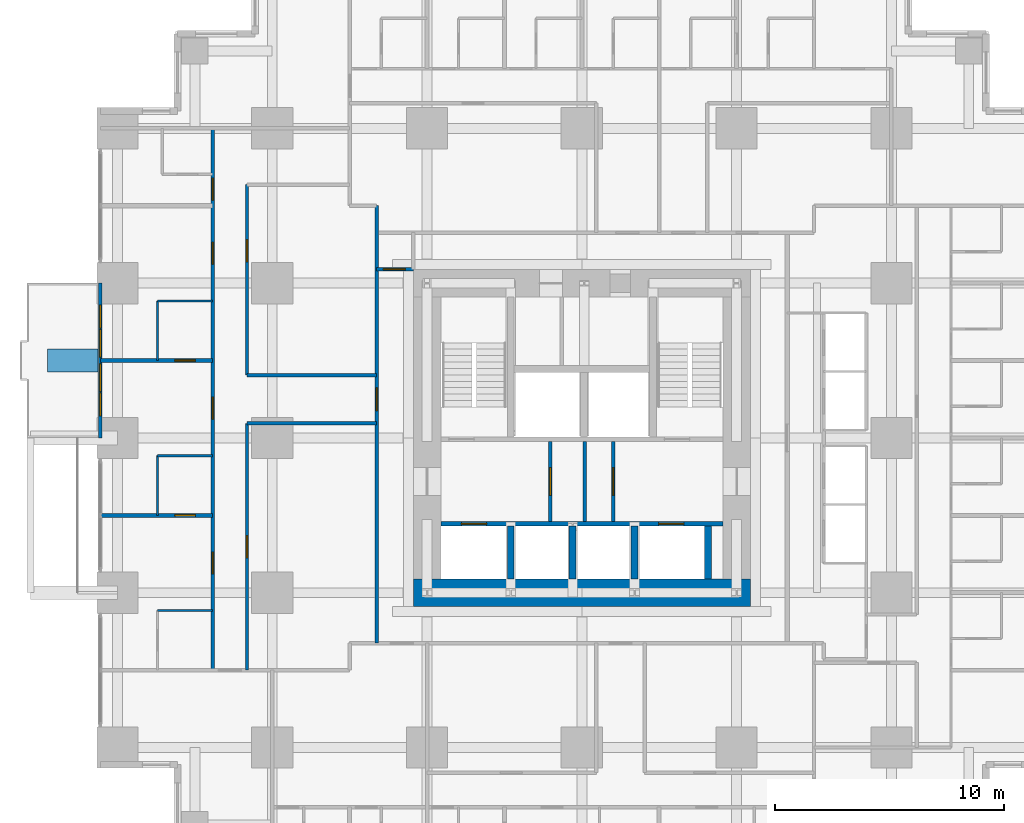
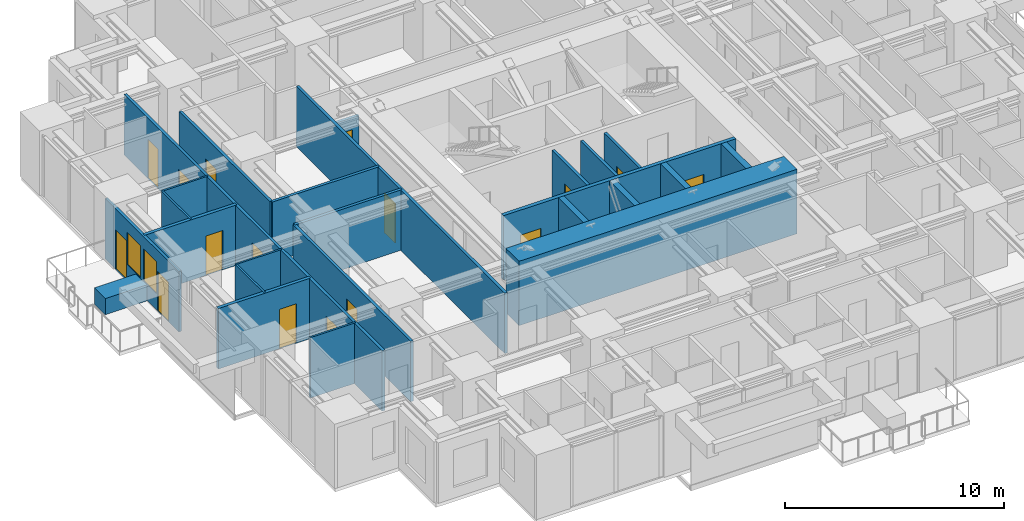
# One storey, part 9 of 14: 25 walls, 16 doors, 2 windows, 18 openings.
"""IFC4 building model written with IfcOpenShell, lengths in metres."""

from ifc_helpers import new_model, si_unit, direction, frame, frame_2d, origin, place, context, subcontext, project, spatial, rectangle, extrude, material, layer, layer_set, type_object, element, fill, save


model = new_model("IFC4")

# Units and contexts
model_context = context("Model", 3, precision=1e-05, world=origin(), true_north=direction((0.0, 1.0)))
body_context = subcontext(model_context, "Body", "Model", "MODEL_VIEW")
ifc_project = project(units=[si_unit("LENGTHUNIT", "METRE"), si_unit("AREAUNIT", "SQUARE_METRE"), si_unit("VOLUMEUNIT", "CUBIC_METRE"), si_unit("PLANEANGLEUNIT", "RADIAN"), si_unit("MASSUNIT", "GRAM", prefix="KILO")], contexts=[model_context])

# Site, building, storey
site_placement = place(None, origin())
site = spatial("IfcSite", under=ifc_project, at=site_placement, CompositionType="ELEMENT")
building_placement = place(site_placement, origin())
building = spatial("IfcBuilding", under=site, at=building_placement, Name="Nyansa Garden Tower", CompositionType="ELEMENT")
storey_placement = place(building_placement, frame((0.0, 0.0, 50.39990234375)))
storey = spatial("IfcBuildingStorey", under=building, at=storey_placement, Name="L13", CompositionType="ELEMENT", Elevation=50.39990234375)

# Wall, opening, door
ifc_material_1 = material(Name="Dense blockwork, plastered both sides, 55 dB", Category="masonry")
ifc_layer_1 = layer(ifc_material_1, 0.175048828125)
ifc_layer_set_1 = layer_set([ifc_layer_1], Name="Acoustic party wall PW175")
wall_type_1 = type_object("IfcWallType", Name="Acoustic party wall PW175", PredefinedType="PARTITIONING", material=ifc_layer_set_1)
wall_1_placement = place(storey_placement, frame((-0.73388671875, 16.875, 0.0), z_axis=(0.0, 0.0, 1.0), x_axis=(1.0, 0.0, 0.0)))
wall_1 = element("IfcWall", 1, at=wall_1_placement, inside=storey, type_object=wall_type_1, Name="Party wall", PredefinedType="PARTITIONING", context=body_context, shape_type="SweptSolid", body=[
    extrude(rectangle(XDim=4.8837890625, YDim=0.175048828125, at=frame_2d((2.44189453125, 0.0))), origin(), (0.0, 0.0, 1.0), 3.375),
])
opening_1_placement = place(wall_1_placement, frame((3.23388671875, 0.0, 0.0)))
opening_1 = element("IfcOpeningElement", 2, at=opening_1_placement, cuts=wall_1, Name="Opening D02", PredefinedType="OPENING", context=body_context, shape_type="SweptSolid", body=[
    extrude(rectangle(XDim=0.89990234375, YDim=2.199951171875, at=frame_2d((0.449951171875, 1.10009765625))), frame((0.0, 0.097412109375, 0.0), z_axis=(0.0, -1.0, 0.0), x_axis=(1.0, 0.0, 0.0)), (0.0, 0.0, 1.0), 0.195068359375),
])
ifc_material_2 = material(Name="Timber flush door", Category="wood")
door_type_1 = type_object("IfcDoorType", Name="En-suite door D02 900x2200", OperationType="SINGLE_SWING_RIGHT", PredefinedType="DOOR", material=ifc_material_2)
door_1_placement = place(opening_1_placement, origin())
door_1 = element("IfcDoor", 3, at=door_1_placement, inside=storey, type_object=door_type_1, Name="Door L13-070", OperationType="SINGLE_SWING_RIGHT", OverallHeight=2.199951171875, OverallWidth=0.89990234375, PredefinedType="DOOR", context=body_context, shape_type="SweptSolid", body=[
    extrude(rectangle(XDim=0.89990234375, YDim=2.199951171875, at=frame_2d((0.449951171875, 1.10009765625))), frame((0.0, 0.02490234375, 0.0), z_axis=(0.0, -1.0, 0.0), x_axis=(1.0, 0.0, 0.0)), (0.0, 0.0, 1.0), 0.050048828125),
])
fill(opening_1, door_1)

wall_2_placement = place(storey_placement, frame((-0.73388671875, 23.625, 0.0), z_axis=(0.0, 0.0, 1.0), x_axis=(1.0, 0.0, 0.0)))
wall_2 = element("IfcWall", 4, at=wall_2_placement, inside=storey, type_object=wall_type_1, Name="Party wall", PredefinedType="PARTITIONING", context=body_context, shape_type="SweptSolid", body=[
    extrude(rectangle(XDim=4.8837890625, YDim=0.175048828125, at=frame_2d((2.44189453125, 0.0))), origin(), (0.0, 0.0, 1.0), 3.375),
])
opening_2_placement = place(wall_2_placement, frame((3.23388671875, 0.0, 0.0)))
opening_2 = element("IfcOpeningElement", 5, at=opening_2_placement, cuts=wall_2, Name="Opening D02", PredefinedType="OPENING", context=body_context, shape_type="SweptSolid", body=[
    extrude(rectangle(XDim=0.89990234375, YDim=2.199951171875, at=frame_2d((0.449951171875, 1.10009765625))), frame((0.0, 0.097412109375, 0.0), z_axis=(0.0, -1.0, 0.0), x_axis=(1.0, 0.0, 0.0)), (0.0, 0.0, 1.0), 0.195068359375),
])
door_2_placement = place(opening_2_placement, origin())
door_2 = element("IfcDoor", 6, at=door_2_placement, inside=storey, type_object=door_type_1, Name="Door L13-072", OperationType="SINGLE_SWING_RIGHT", OverallHeight=2.199951171875, OverallWidth=0.89990234375, PredefinedType="DOOR", context=body_context, shape_type="SweptSolid", body=[
    extrude(rectangle(XDim=0.89990234375, YDim=2.199951171875, at=frame_2d((0.449951171875, 1.10009765625))), frame((0.0, 0.02490234375, 0.0), z_axis=(0.0, -1.0, 0.0), x_axis=(1.0, 0.0, 0.0)), (0.0, 0.0, 1.0), 0.050048828125),
])
fill(opening_2, door_2)

# Wall, openings, doors, windows
ifc_material_3 = material(Name="Black aluminium framed glazed screen", Category="aluminium")
ifc_layer_2 = layer(ifc_material_3, 0.14990234375)
ifc_layer_set_2 = layer_set([ifc_layer_2], Name="Balcony screen wall BW150")
wall_type_2 = type_object("IfcWallType", Name="Balcony screen wall BW150", PredefinedType="SOLIDWALL", material=ifc_layer_set_2)
wall_3_placement = place(storey_placement, frame((-0.75, 20.25, 0.0), z_axis=(0.0, 0.0, 1.0), x_axis=(0.0, 1.0, 0.0)))
wall_3 = element("IfcWall", 7, at=wall_3_placement, inside=storey, type_object=wall_type_2, Name="Glazed screen wall L13 W", PredefinedType="SOLIDWALL", context=body_context, shape_type="SweptSolid", body=[
    extrude(rectangle(XDim=6.75, YDim=0.14990234375, at=frame_2d((3.375, 0.0))), origin(), (0.0, 0.0, 1.0), 3.375),
])
opening_3_placement = place(wall_3_placement, frame((0.96240234375, 0.0, 0.0)))
opening_3 = element("IfcOpeningElement", 8, at=opening_3_placement, cuts=wall_3, Name="Opening D20", PredefinedType="OPENING", context=body_context, shape_type="SweptSolid", body=[
    extrude(rectangle(XDim=1.0, YDim=2.199951171875, at=frame_2d((0.5, 1.10009765625))), frame((0.0, 0.0849609375, 0.0), z_axis=(0.0, -1.0, 0.0), x_axis=(1.0, 0.0, 0.0)), (0.0, 0.0, 1.0), 0.169921875),
])
opening_4_placement = place(wall_3_placement, frame((2.02490234375, 0.0, 0.89990234375)))
opening_4 = element("IfcOpeningElement", 9, at=opening_4_placement, cuts=wall_3, Name="Opening W6", PredefinedType="OPENING", context=body_context, shape_type="SweptSolid", body=[
    extrude(rectangle(XDim=1.199951171875, YDim=1.800048828125, at=frame_2d((0.60009765625, 0.89990234375))), frame((0.0, 0.0849609375, 0.0), z_axis=(0.0, -1.0, 0.0), x_axis=(1.0, 0.0, 0.0)), (0.0, 0.0, 1.0), 0.169921875),
])
opening_5_placement = place(wall_3_placement, frame((4.78759765625, 0.0, 0.0)))
opening_5 = element("IfcOpeningElement", 10, at=opening_5_placement, cuts=wall_3, Name="Opening D20", PredefinedType="OPENING", context=body_context, shape_type="SweptSolid", body=[
    extrude(rectangle(XDim=1.0, YDim=2.199951171875, at=frame_2d((0.5, 1.10009765625))), frame((0.0, 0.0849609375, 0.0), z_axis=(0.0, -1.0, 0.0), x_axis=(1.0, 0.0, 0.0)), (0.0, 0.0, 1.0), 0.169921875),
])
opening_6_placement = place(wall_3_placement, frame((3.52490234375, 0.0, 0.89990234375)))
opening_6 = element("IfcOpeningElement", 11, at=opening_6_placement, cuts=wall_3, Name="Opening W6", PredefinedType="OPENING", context=body_context, shape_type="SweptSolid", body=[
    extrude(rectangle(XDim=1.199951171875, YDim=1.800048828125, at=frame_2d((0.60009765625, 0.89990234375))), frame((0.0, 0.0849609375, 0.0), z_axis=(0.0, -1.0, 0.0), x_axis=(1.0, 0.0, 0.0)), (0.0, 0.0, 1.0), 0.169921875),
])
ifc_material_4 = material(Name="Black aluminium framed glazed door", Category="aluminium")
door_type_2 = type_object("IfcDoorType", Name="Balcony door D20 1000x2200", OperationType="NOTDEFINED", PredefinedType="DOOR", material=ifc_material_4)
door_3_placement = place(opening_3_placement, origin())
door_3 = element("IfcDoor", 12, at=door_3_placement, inside=storey, type_object=door_type_2, Name="Balcony door L13", OperationType="SINGLE_SWING_LEFT", OverallHeight=2.199951171875, OverallWidth=1.0, PredefinedType="DOOR", context=body_context, shape_type="SweptSolid", body=[
    extrude(rectangle(XDim=1.0, YDim=2.199951171875, at=frame_2d((0.5, 1.10009765625))), frame((0.0, 0.02490234375, 0.0), z_axis=(0.0, -1.0, 0.0), x_axis=(1.0, 0.0, 0.0)), (0.0, 0.0, 1.0), 0.050048828125),
])
fill(opening_3, door_3)
door_4_placement = place(opening_5_placement, origin())
door_4 = element("IfcDoor", 13, at=door_4_placement, inside=storey, type_object=door_type_2, Name="Balcony door L13", OperationType="SINGLE_SWING_RIGHT", OverallHeight=2.199951171875, OverallWidth=1.0, PredefinedType="DOOR", context=body_context, shape_type="SweptSolid", body=[
    extrude(rectangle(XDim=1.0, YDim=2.199951171875, at=frame_2d((0.5, 1.10009765625))), frame((0.0, 0.02490234375, 0.0), z_axis=(0.0, -1.0, 0.0), x_axis=(1.0, 0.0, 0.0)), (0.0, 0.0, 1.0), 0.050048828125),
])
fill(opening_5, door_4)
ifc_material_5 = material(Name="Black aluminium frame, dark tinted double glazing", Category="aluminium")
window_type = type_object("IfcWindowType", Name="Balcony window W6 1200x1800", PartitioningType="SINGLE_PANEL", PredefinedType="WINDOW", material=ifc_material_5)
window_1_placement = place(opening_4_placement, origin())
window_1 = element("IfcWindow", 14, at=window_1_placement, inside=storey, type_object=window_type, Name="Window L13", OverallHeight=1.800048828125, OverallWidth=1.199951171875, PartitioningType="SINGLE_PANEL", PredefinedType="WINDOW", context=body_context, shape_type="SweptSolid", body=[
    extrude(rectangle(XDim=1.199951171875, YDim=1.800048828125, at=frame_2d((0.60009765625, 0.89990234375))), frame((0.0, 0.030029296875, 0.0), z_axis=(0.0, -1.0, 0.0), x_axis=(1.0, 0.0, 0.0)), (0.0, 0.0, 1.0), 0.06005859375),
])
fill(opening_4, window_1)
window_2_placement = place(opening_6_placement, origin())
window_2 = element("IfcWindow", 15, at=window_2_placement, inside=storey, type_object=window_type, Name="Window L13", OverallHeight=1.800048828125, OverallWidth=1.199951171875, PartitioningType="SINGLE_PANEL", PredefinedType="WINDOW", context=body_context, shape_type="SweptSolid", body=[
    extrude(rectangle(XDim=1.199951171875, YDim=1.800048828125, at=frame_2d((0.60009765625, 0.89990234375))), frame((0.0, 0.030029296875, 0.0), z_axis=(0.0, -1.0, 0.0), x_axis=(1.0, 0.0, 0.0)), (0.0, 0.0, 1.0), 0.06005859375),
])
fill(opening_6, window_2)

# Wall, openings, doors
ifc_material_6 = material(Name="Concrete C70/85", Category="concrete")
ifc_layer_3 = layer(ifc_material_6, 0.199951171875)
ifc_layer_set_3 = layer_set([ifc_layer_3], Name="Core inner wall CI200")
wall_type_3 = type_object("IfcWallType", Name="Core inner wall CI200", PredefinedType="SHEAR", material=ifc_layer_set_3)
wall_4_placement = place(storey_placement, frame((14.10009765625, 16.5, 0.0), z_axis=(0.0, 0.0, 1.0), x_axis=(1.0, 0.0, 0.0)))
wall_4 = element("IfcWall", 16, at=wall_4_placement, inside=storey, type_object=wall_type_3, Name="Core inner wall L13", PredefinedType="SHEAR", context=body_context, shape_type="SweptSolid", body=[
    extrude(rectangle(XDim=12.2998046875, YDim=0.199951171875, at=frame_2d((6.14990234375, 0.0))), origin(), (0.0, 0.0, 1.0), 3.60009765625),
])
opening_7_placement = place(wall_4_placement, frame((0.89990234375, 0.0, 0.0)))
opening_7 = element("IfcOpeningElement", 17, at=opening_7_placement, cuts=wall_4, Name="Opening LD-F", PredefinedType="OPENING", context=body_context, shape_type="SweptSolid", body=[
    extrude(rectangle(XDim=1.10009765625, YDim=2.199951171875, at=frame_2d((0.550048828125, 1.10009765625))), frame((0.0, 0.10986328125, 0.0), z_axis=(0.0, -1.0, 0.0), x_axis=(1.0, 0.0, 0.0)), (0.0, 0.0, 1.0), 0.219970703125),
])
opening_8_placement = place(wall_4_placement, frame((9.5, 0.0, 0.0)))
opening_8 = element("IfcOpeningElement", 18, at=opening_8_placement, cuts=wall_4, Name="Opening LD-F", PredefinedType="OPENING", context=body_context, shape_type="SweptSolid", body=[
    extrude(rectangle(XDim=1.10009765625, YDim=2.199951171875, at=frame_2d((0.550048828125, 1.10009765625))), frame((0.0, 0.10986328125, 0.0), z_axis=(0.0, -1.0, 0.0), x_axis=(1.0, 0.0, 0.0)), (0.0, 0.0, 1.0), 0.219970703125),
])
ifc_material_7 = material(Name="Stainless steel centre-opening landing door of the firefighting lift, EN 81-72, E 120", Category="steel")
door_type_3 = type_object("IfcDoorType", Name="Lift landing door LD-F 1100x2200", OperationType="DOUBLE_DOOR_SLIDING", PredefinedType="DOOR", material=ifc_material_7)
door_5_placement = place(opening_7_placement, origin())
door_5 = element("IfcDoor", 19, at=door_5_placement, inside=storey, type_object=door_type_3, Name="Landing door FF1", OperationType="DOUBLE_DOOR_SLIDING", OverallHeight=2.199951171875, OverallWidth=1.10009765625, PredefinedType="DOOR", context=body_context, shape_type="SweptSolid", body=[
    extrude(rectangle(XDim=1.10009765625, YDim=2.199951171875, at=frame_2d((0.550048828125, 1.10009765625))), frame((0.0, 0.02490234375, 0.0), z_axis=(0.0, -1.0, 0.0), x_axis=(1.0, 0.0, 0.0)), (0.0, 0.0, 1.0), 0.050048828125),
])
fill(opening_7, door_5)
door_6_placement = place(opening_8_placement, origin())
door_6 = element("IfcDoor", 20, at=door_6_placement, inside=storey, type_object=door_type_3, Name="Landing door FF2", OperationType="DOUBLE_DOOR_SLIDING", OverallHeight=2.199951171875, OverallWidth=1.10009765625, PredefinedType="DOOR", context=body_context, shape_type="SweptSolid", body=[
    extrude(rectangle(XDim=1.10009765625, YDim=2.199951171875, at=frame_2d((0.550048828125, 1.10009765625))), frame((0.0, 0.02490234375, 0.0), z_axis=(0.0, -1.0, 0.0), x_axis=(1.0, 0.0, 0.0)), (0.0, 0.0, 1.0), 0.050048828125),
])
fill(opening_8, door_6)

# Walls
ifc_material_8 = material(Name="Concrete C70/85", Category="concrete")
ifc_layer_4 = layer(ifc_material_8, 0.300048828125)
ifc_layer_set_4 = layer_set([ifc_layer_4], Name="Core inner wall CI300")
wall_type_4 = type_object("IfcWallType", Name="Core inner wall CI300", PredefinedType="SHEAR", material=ifc_layer_set_4)
for number, where, z_axis, x_axis, name in (
    (21, (17.14990234375, 14.10009765625, 0.0), (0.0, 0.0, 1.0), (0.0, 1.0, 0.0), "Core inner wall L13"),
    (22, (19.85009765625, 14.10009765625, 0.0), (0.0, 0.0, 1.0), (0.0, 1.0, 0.0), "Core inner wall L13"),
    (23, (22.550048828125, 14.10009765625, 0.0), (0.0, 0.0, 1.0), (0.0, 1.0, 0.0), "Core inner wall L13"),
    (24, (25.75, 14.10009765625, 0.0), (0.0, 0.0, 1.0), (0.0, 1.0, 0.0), "Core inner wall L13"),
):
    element("IfcWall", number, at=place(storey_placement, frame(where, z_axis=z_axis, x_axis=x_axis)), inside=storey, type_object=wall_type_4, Name=name, PredefinedType="SHEAR", context=body_context, shape_type="SweptSolid", body=[
        extrude(rectangle(XDim=2.2998046875, YDim=0.300048828125, at=frame_2d((1.14990234375, 0.0))), origin(), (0.0, 0.0, 1.0), 3.60009765625),
    ])
ifc_material_9 = material(Name="Concrete C80/95", Category="concrete")
ifc_layer_5 = layer(ifc_material_9, 1.199951171875)
ifc_layer_set_5 = layer_set([ifc_layer_5], Name="Core wall CW1200")
wall_type_5 = type_object("IfcWallType", Name="Core wall CW1200", PredefinedType="SHEAR", material=ifc_layer_set_5)
wall_5_placement = place(storey_placement, frame((12.89990234375, 13.5, 0.0), z_axis=(0.0, 0.0, 1.0), x_axis=(1.0, 0.0, 0.0)))
element("IfcWall", 25, at=wall_5_placement, inside=storey, type_object=wall_type_5, Name="Core wall S L13", PredefinedType="SHEAR", context=body_context, shape_type="SweptSolid", body=[
    extrude(rectangle(XDim=14.7001953125, YDim=1.199951171875, at=frame_2d((7.35009765625, 0.0))), origin(), (0.0, 0.0, 1.0), 3.60009765625),
])

# Wall, opening, door
ifc_material_10 = material(Name="Blockwork, plastered both sides", Category="masonry")
ifc_layer_6 = layer(ifc_material_10, 0.14990234375)
ifc_layer_set_6 = layer_set([ifc_layer_6], Name="Partition PW150")
wall_type_6 = type_object("IfcWallType", Name="Partition PW150", PredefinedType="PARTITIONING", material=ifc_layer_set_6)
wall_6_placement = place(storey_placement, frame((18.875, 16.60009765625, 0.0), z_axis=(0.0, 0.0, 1.0), x_axis=(0.0, 1.0, 0.0)))
wall_6 = element("IfcWall", 26, at=wall_6_placement, inside=storey, type_object=wall_type_6, Name="Partition", PredefinedType="PARTITIONING", context=body_context, shape_type="SweptSolid", body=[
    extrude(rectangle(XDim=3.5, YDim=0.14990234375, at=frame_2d((1.75, 0.0))), origin(), (0.0, 0.0, 1.0), 3.375),
])
opening_9_placement = place(wall_6_placement, frame((1.14990234375, 0.0, 0.0)))
opening_9 = element("IfcOpeningElement", 27, at=opening_9_placement, cuts=wall_6, Name="Opening D06", PredefinedType="OPENING", context=body_context, shape_type="SweptSolid", body=[
    extrude(rectangle(XDim=1.199951171875, YDim=2.199951171875, at=frame_2d((0.60009765625, 1.10009765625))), frame((0.0, 0.0849609375, 0.0), z_axis=(0.0, -1.0, 0.0), x_axis=(1.0, 0.0, 0.0)), (0.0, 0.0, 1.0), 0.169921875),
])
ifc_material_11 = material(Name="Steel door, 120 minute fire resisting", Category="steel")
door_type_4 = type_object("IfcDoorType", Name="Lobby door D06 1200x2200", OperationType="DOUBLE_DOOR_SINGLE_SWING", PredefinedType="DOOR", material=ifc_material_11)
door_7_placement = place(opening_9_placement, origin())
door_7 = element("IfcDoor", 28, at=door_7_placement, inside=storey, type_object=door_type_4, Name="Passenger lift lobby door", OperationType="DOUBLE_DOOR_SINGLE_SWING", OverallHeight=2.199951171875, OverallWidth=1.199951171875, PredefinedType="DOOR", context=body_context, shape_type="SweptSolid", body=[
    extrude(rectangle(XDim=1.199951171875, YDim=2.199951171875, at=frame_2d((0.60009765625, 1.10009765625))), frame((0.0, 0.02490234375, 0.0), z_axis=(0.0, -1.0, 0.0), x_axis=(1.0, 0.0, 0.0)), (0.0, 0.0, 1.0), 0.050048828125),
])
fill(opening_9, door_7)

wall_7_placement = place(storey_placement, frame((21.625, 16.60009765625, 0.0), z_axis=(0.0, 0.0, 1.0), x_axis=(0.0, 1.0, 0.0)))
wall_7 = element("IfcWall", 29, at=wall_7_placement, inside=storey, type_object=wall_type_6, Name="Partition", PredefinedType="PARTITIONING", context=body_context, shape_type="SweptSolid", body=[
    extrude(rectangle(XDim=3.5, YDim=0.14990234375, at=frame_2d((1.75, 0.0))), origin(), (0.0, 0.0, 1.0), 3.375),
])
opening_10_placement = place(wall_7_placement, frame((1.14990234375, 0.0, 0.0)))
opening_10 = element("IfcOpeningElement", 30, at=opening_10_placement, cuts=wall_7, Name="Opening D06", PredefinedType="OPENING", context=body_context, shape_type="SweptSolid", body=[
    extrude(rectangle(XDim=1.199951171875, YDim=2.199951171875, at=frame_2d((0.60009765625, 1.10009765625))), frame((0.0, 0.0849609375, 0.0), z_axis=(0.0, -1.0, 0.0), x_axis=(1.0, 0.0, 0.0)), (0.0, 0.0, 1.0), 0.169921875),
])
door_8_placement = place(opening_10_placement, origin())
door_8 = element("IfcDoor", 31, at=door_8_placement, inside=storey, type_object=door_type_4, Name="Passenger lift lobby door", OperationType="DOUBLE_DOOR_SINGLE_SWING", OverallHeight=2.199951171875, OverallWidth=1.199951171875, PredefinedType="DOOR", context=body_context, shape_type="SweptSolid", body=[
    extrude(rectangle(XDim=1.199951171875, YDim=2.199951171875, at=frame_2d((0.60009765625, 1.10009765625))), frame((0.0, 0.02490234375, 0.0), z_axis=(0.0, -1.0, 0.0), x_axis=(1.0, 0.0, 0.0)), (0.0, 0.0, 1.0), 0.050048828125),
])
fill(opening_10, door_8)

# Wall
wall_8_placement = place(storey_placement, frame((20.3798828125, 16.60009765625, 0.0), z_axis=(0.0, 0.0, 1.0), x_axis=(0.0, 1.0, 0.0)))
element("IfcWall", 32, at=wall_8_placement, inside=storey, type_object=wall_type_6, Name="Partition", PredefinedType="PARTITIONING", context=body_context, shape_type="SweptSolid", body=[
    extrude(rectangle(XDim=3.5, YDim=0.14990234375, at=frame_2d((1.75, 0.0))), origin(), (0.0, 0.0, 1.0), 3.375),
])

# Wall, openings, doors
wall_9_placement = place(storey_placement, frame((4.14990234375, 10.125, 0.0), z_axis=(0.0, 0.0, 1.0), x_axis=(0.0, 1.0, 0.0)))
wall_9 = element("IfcWall", 33, at=wall_9_placement, inside=storey, type_object=wall_type_6, Name="Partition", PredefinedType="PARTITIONING", context=body_context, shape_type="SweptSolid", body=[
    extrude(rectangle(XDim=23.625, YDim=0.14990234375, at=frame_2d((11.8125, 0.0))), origin(), (0.0, 0.0, 1.0), 3.375),
])
opening_11_placement = place(wall_9_placement, frame((4.199951171875, 0.0, 0.0)))
opening_11 = element("IfcOpeningElement", 34, at=opening_11_placement, cuts=wall_9, Name="Opening D14", PredefinedType="OPENING", context=body_context, shape_type="SweptSolid", body=[
    extrude(rectangle(XDim=0.949951171875, YDim=2.199951171875, at=frame_2d((0.47509765625, 1.10009765625))), frame((0.0, 0.0849609375, 0.0), z_axis=(0.0, -1.0, 0.0), x_axis=(1.0, 0.0, 0.0)), (0.0, 0.0, 1.0), 0.169921875),
])
opening_12_placement = place(wall_9_placement, frame((10.949951171875, 0.0, 0.0)))
opening_12 = element("IfcOpeningElement", 35, at=opening_12_placement, cuts=wall_9, Name="Opening D14", PredefinedType="OPENING", context=body_context, shape_type="SweptSolid", body=[
    extrude(rectangle(XDim=0.949951171875, YDim=2.199951171875, at=frame_2d((0.47509765625, 1.10009765625))), frame((0.0, 0.0849609375, 0.0), z_axis=(0.0, -1.0, 0.0), x_axis=(1.0, 0.0, 0.0)), (0.0, 0.0, 1.0), 0.169921875),
])
opening_13_placement = place(wall_9_placement, frame((17.699951171875, 0.0, 0.0)))
opening_13 = element("IfcOpeningElement", 36, at=opening_13_placement, cuts=wall_9, Name="Opening D14", PredefinedType="OPENING", context=body_context, shape_type="SweptSolid", body=[
    extrude(rectangle(XDim=0.949951171875, YDim=2.199951171875, at=frame_2d((0.47509765625, 1.10009765625))), frame((0.0, 0.0849609375, 0.0), z_axis=(0.0, -1.0, 0.0), x_axis=(1.0, 0.0, 0.0)), (0.0, 0.0, 1.0), 0.169921875),
])
opening_14_placement = place(wall_9_placement, frame((20.5, 0.0, 0.0)))
opening_14 = element("IfcOpeningElement", 37, at=opening_14_placement, cuts=wall_9, Name="Opening D14", PredefinedType="OPENING", context=body_context, shape_type="SweptSolid", body=[
    extrude(rectangle(XDim=0.949951171875, YDim=2.199951171875, at=frame_2d((0.47509765625, 1.10009765625))), frame((0.0, 0.0849609375, 0.0), z_axis=(0.0, -1.0, 0.0), x_axis=(1.0, 0.0, 0.0)), (0.0, 0.0, 1.0), 0.169921875),
])
ifc_material_12 = material(Name="Timber flush door, 60 minute fire resisting, self-closing", Category="wood")
door_type_5 = type_object("IfcDoorType", Name="Studio entrance door D14 950x2200", OperationType="SINGLE_SWING_LEFT", PredefinedType="DOOR", material=ifc_material_12)
door_9_placement = place(opening_11_placement, origin())
door_9 = element("IfcDoor", 38, at=door_9_placement, inside=storey, type_object=door_type_5, Name="Door L13-067", OperationType="SINGLE_SWING_LEFT", OverallHeight=2.199951171875, OverallWidth=0.949951171875, PredefinedType="DOOR", context=body_context, shape_type="SweptSolid", body=[
    extrude(rectangle(XDim=0.949951171875, YDim=2.199951171875, at=frame_2d((0.47509765625, 1.10009765625))), frame((0.0, 0.02490234375, 0.0), z_axis=(0.0, -1.0, 0.0), x_axis=(1.0, 0.0, 0.0)), (0.0, 0.0, 1.0), 0.050048828125),
])
fill(opening_11, door_9)
door_10_placement = place(opening_12_placement, origin())
door_10 = element("IfcDoor", 39, at=door_10_placement, inside=storey, type_object=door_type_5, Name="Door L13-069", OperationType="SINGLE_SWING_LEFT", OverallHeight=2.199951171875, OverallWidth=0.949951171875, PredefinedType="DOOR", context=body_context, shape_type="SweptSolid", body=[
    extrude(rectangle(XDim=0.949951171875, YDim=2.199951171875, at=frame_2d((0.47509765625, 1.10009765625))), frame((0.0, 0.02490234375, 0.0), z_axis=(0.0, -1.0, 0.0), x_axis=(1.0, 0.0, 0.0)), (0.0, 0.0, 1.0), 0.050048828125),
])
fill(opening_12, door_10)
door_11_placement = place(opening_13_placement, origin())
door_11 = element("IfcDoor", 40, at=door_11_placement, inside=storey, type_object=door_type_5, Name="Door L13-071", OperationType="SINGLE_SWING_LEFT", OverallHeight=2.199951171875, OverallWidth=0.949951171875, PredefinedType="DOOR", context=body_context, shape_type="SweptSolid", body=[
    extrude(rectangle(XDim=0.949951171875, YDim=2.199951171875, at=frame_2d((0.47509765625, 1.10009765625))), frame((0.0, 0.02490234375, 0.0), z_axis=(0.0, -1.0, 0.0), x_axis=(1.0, 0.0, 0.0)), (0.0, 0.0, 1.0), 0.050048828125),
])
fill(opening_13, door_11)
door_12_placement = place(opening_14_placement, origin())
door_12 = element("IfcDoor", 41, at=door_12_placement, inside=storey, type_object=door_type_5, Name="Door L13-073", OperationType="SINGLE_SWING_LEFT", OverallHeight=2.199951171875, OverallWidth=0.949951171875, PredefinedType="DOOR", context=body_context, shape_type="SweptSolid", body=[
    extrude(rectangle(XDim=0.949951171875, YDim=2.199951171875, at=frame_2d((0.47509765625, 1.10009765625))), frame((0.0, 0.02490234375, 0.0), z_axis=(0.0, -1.0, 0.0), x_axis=(1.0, 0.0, 0.0)), (0.0, 0.0, 1.0), 0.050048828125),
])
fill(opening_14, door_12)

# Wall, opening, door
wall_10_placement = place(storey_placement, frame((5.64990234375, 10.125, 0.0), z_axis=(0.0, 0.0, 1.0), x_axis=(0.0, 1.0, 0.0)))
wall_10 = element("IfcWall", 42, at=wall_10_placement, inside=storey, type_object=wall_type_6, Name="Partition", PredefinedType="PARTITIONING", context=body_context, shape_type="SweptSolid", body=[
    extrude(rectangle(XDim=10.762451171875, YDim=0.14990234375, at=frame_2d((5.38134765625, 0.0))), origin(), (0.0, 0.0, 1.0), 3.375),
])
opening_15_placement = place(wall_10_placement, frame((4.89990234375, 0.0, 0.0)))
opening_15 = element("IfcOpeningElement", 43, at=opening_15_placement, cuts=wall_10, Name="Opening D01", PredefinedType="OPENING", context=body_context, shape_type="SweptSolid", body=[
    extrude(rectangle(XDim=0.949951171875, YDim=2.199951171875, at=frame_2d((0.47509765625, 1.10009765625))), frame((0.0, 0.0849609375, 0.0), z_axis=(0.0, -1.0, 0.0), x_axis=(1.0, 0.0, 0.0)), (0.0, 0.0, 1.0), 0.169921875),
])
ifc_material_13 = material(Name="Timber flush door, 30 minute fire resisting", Category="wood")
door_type_6 = type_object("IfcDoorType", Name="Bedroom door D01 950x2200", OperationType="SINGLE_SWING_LEFT", PredefinedType="DOOR", material=ifc_material_13)
door_13_placement = place(opening_15_placement, origin())
door_13 = element("IfcDoor", 44, at=door_13_placement, inside=storey, type_object=door_type_6, Name="Door L13-076", OperationType="SINGLE_SWING_LEFT", OverallHeight=2.199951171875, OverallWidth=0.949951171875, PredefinedType="DOOR", context=body_context, shape_type="SweptSolid", body=[
    extrude(rectangle(XDim=0.949951171875, YDim=2.199951171875, at=frame_2d((0.47509765625, 1.10009765625))), frame((0.0, 0.02490234375, 0.0), z_axis=(0.0, -1.0, 0.0), x_axis=(1.0, 0.0, 0.0)), (0.0, 0.0, 1.0), 0.050048828125),
])
fill(opening_15, door_13)

# Wall
wall_11_placement = place(storey_placement, frame((5.64990234375, 20.886962890625, 0.0), z_axis=(0.0, 0.0, 1.0), x_axis=(1.0, 0.0, 0.0)))
element("IfcWall", 45, at=wall_11_placement, inside=storey, type_object=wall_type_6, Name="Partition", PredefinedType="PARTITIONING", context=body_context, shape_type="SweptSolid", body=[
    extrude(rectangle(XDim=5.650146484375, YDim=0.14990234375, at=frame_2d((2.8251953125, 0.0))), origin(), (0.0, 0.0, 1.0), 3.375),
])

# Wall, opening, door
wall_12_placement = place(storey_placement, frame((5.64990234375, 22.987548828125, 0.0), z_axis=(0.0, 0.0, 1.0), x_axis=(0.0, 1.0, 0.0)))
wall_12 = element("IfcWall", 46, at=wall_12_placement, inside=storey, type_object=wall_type_6, Name="Partition", PredefinedType="PARTITIONING", context=body_context, shape_type="SweptSolid", body=[
    extrude(rectangle(XDim=8.3125, YDim=0.14990234375, at=frame_2d((4.15625, 0.0))), origin(), (0.0, 0.0, 1.0), 3.375),
])
opening_16_placement = place(wall_12_placement, frame((4.949951171875, 0.0, 0.0)))
opening_16 = element("IfcOpeningElement", 47, at=opening_16_placement, cuts=wall_12, Name="Opening D01", PredefinedType="OPENING", context=body_context, shape_type="SweptSolid", body=[
    extrude(rectangle(XDim=0.949951171875, YDim=2.199951171875, at=frame_2d((0.47509765625, 1.10009765625))), frame((0.0, 0.0849609375, 0.0), z_axis=(0.0, -1.0, 0.0), x_axis=(1.0, 0.0, 0.0)), (0.0, 0.0, 1.0), 0.169921875),
])
door_14_placement = place(opening_16_placement, origin())
door_14 = element("IfcDoor", 48, at=door_14_placement, inside=storey, type_object=door_type_6, Name="Door L13-077", OperationType="SINGLE_SWING_LEFT", OverallHeight=2.199951171875, OverallWidth=0.949951171875, PredefinedType="DOOR", context=body_context, shape_type="SweptSolid", body=[
    extrude(rectangle(XDim=0.949951171875, YDim=2.199951171875, at=frame_2d((0.47509765625, 1.10009765625))), frame((0.0, 0.02490234375, 0.0), z_axis=(0.0, -1.0, 0.0), x_axis=(1.0, 0.0, 0.0)), (0.0, 0.0, 1.0), 0.050048828125),
])
fill(opening_16, door_14)

# Wall
wall_13_placement = place(storey_placement, frame((5.64990234375, 22.988037109375, 0.0), z_axis=(0.0, 0.0, 1.0), x_axis=(1.0, 0.0, 0.0)))
element("IfcWall", 49, at=wall_13_placement, inside=storey, type_object=wall_type_6, Name="Partition", PredefinedType="PARTITIONING", context=body_context, shape_type="SweptSolid", body=[
    extrude(rectangle(XDim=5.650146484375, YDim=0.14990234375, at=frame_2d((2.8251953125, 0.0))), origin(), (0.0, 0.0, 1.0), 3.375),
])

# Wall, opening, door
wall_14_placement = place(storey_placement, frame((11.300048828125, 11.300048828125, 0.0), z_axis=(0.0, 0.0, 1.0), x_axis=(0.0, 1.0, 0.0)))
wall_14 = element("IfcWall", 50, at=wall_14_placement, inside=storey, type_object=wall_type_6, Name="Partition", PredefinedType="PARTITIONING", context=body_context, shape_type="SweptSolid", body=[
    extrude(rectangle(XDim=19.074951171875, YDim=0.14990234375, at=frame_2d((9.53759765625, 0.0))), origin(), (0.0, 0.0, 1.0), 3.375),
])
opening_17_placement = place(wall_14_placement, frame((10.137451171875, 0.0, 0.0)))
opening_17 = element("IfcOpeningElement", 51, at=opening_17_placement, cuts=wall_14, Name="Opening D03", PredefinedType="OPENING", context=body_context, shape_type="SweptSolid", body=[
    extrude(rectangle(XDim=1.0, YDim=2.199951171875, at=frame_2d((0.5, 1.10009765625))), frame((0.0, 0.0849609375, 0.0), z_axis=(0.0, -1.0, 0.0), x_axis=(1.0, 0.0, 0.0)), (0.0, 0.0, 1.0), 0.169921875),
])
ifc_material_14 = material(Name="Timber flush door, 60 minute fire resisting", Category="wood")
door_type_7 = type_object("IfcDoorType", Name="Cluster entrance door D03 1000x2200", OperationType="SINGLE_SWING_LEFT", PredefinedType="DOOR", material=ifc_material_14)
door_15_placement = place(opening_17_placement, origin())
door_15 = element("IfcDoor", 52, at=door_15_placement, inside=storey, type_object=door_type_7, Name="Door L13-075", OperationType="SINGLE_SWING_LEFT", OverallHeight=2.199951171875, OverallWidth=1.0, PredefinedType="DOOR", context=body_context, shape_type="SweptSolid", body=[
    extrude(rectangle(XDim=1.0, YDim=2.199951171875, at=frame_2d((0.5, 1.10009765625))), frame((0.0, 0.02490234375, 0.0), z_axis=(0.0, -1.0, 0.0), x_axis=(1.0, 0.0, 0.0)), (0.0, 0.0, 1.0), 0.050048828125),
])
fill(opening_17, door_15)

wall_15_placement = place(storey_placement, frame((11.300048828125, 27.60009765625, 0.0), z_axis=(0.0, 0.0, 1.0), x_axis=(1.0, 0.0, 0.0)))
wall_15 = element("IfcWall", 53, at=wall_15_placement, inside=storey, type_object=wall_type_6, Name="Partition", PredefinedType="PARTITIONING", context=body_context, shape_type="SweptSolid", body=[
    extrude(rectangle(XDim=1.599853515625, YDim=0.14990234375, at=frame_2d((0.7998046875, 0.0))), origin(), (0.0, 0.0, 1.0), 2.877197265625),
])
opening_18_placement = place(wall_15_placement, frame((0.300048828125, 0.0, 0.0)))
opening_18 = element("IfcOpeningElement", 54, at=opening_18_placement, cuts=wall_15, Name="Opening D01", PredefinedType="OPENING", context=body_context, shape_type="SweptSolid", body=[
    extrude(rectangle(XDim=0.949951171875, YDim=2.199951171875, at=frame_2d((0.47509765625, 1.10009765625))), frame((0.0, 0.0849609375, 0.0), z_axis=(0.0, -1.0, 0.0), x_axis=(1.0, 0.0, 0.0)), (0.0, 0.0, 1.0), 0.169921875),
])
door_16_placement = place(opening_18_placement, origin())
door_16 = element("IfcDoor", 55, at=door_16_placement, inside=storey, type_object=door_type_6, Name="Door L13-017", OperationType="SINGLE_SWING_LEFT", OverallHeight=2.199951171875, OverallWidth=0.949951171875, PredefinedType="DOOR", context=body_context, shape_type="SweptSolid", body=[
    extrude(rectangle(XDim=0.949951171875, YDim=2.199951171875, at=frame_2d((0.47509765625, 1.10009765625))), frame((0.0, 0.02490234375, 0.0), z_axis=(0.0, -1.0, 0.0), x_axis=(1.0, 0.0, 0.0)), (0.0, 0.0, 1.0), 0.050048828125),
])
fill(opening_18, door_16)

# Walls
ifc_material_15 = material(Name="Concrete C40/50 planter, waterproofed", Category="concrete")
ifc_layer_7 = layer(ifc_material_15, 1.0)
ifc_layer_set_7 = layer_set([ifc_layer_7], Name="Tree planter TP1")
wall_type_7 = type_object("IfcWallType", Name="Tree planter TP1", PredefinedType="USERDEFINED", material=ifc_layer_set_7)
wall_16_placement = place(storey_placement, frame((-0.85009765625, 23.625, 0.0), z_axis=(0.0, 0.0, 1.0), x_axis=(-1.0, 0.0, 0.0)))
element("IfcWall", 56, at=wall_16_placement, inside=storey, type_object=wall_type_7, Name="Tree planter L13", ObjectType="TREE PLANTER", PredefinedType="USERDEFINED", context=body_context, shape_type="SweptSolid", body=[
    extrude(rectangle(XDim=2.199951171875, YDim=1.0, at=frame_2d((1.10009765625, 0.0))), origin(), (0.0, 0.0, 1.0), 0.900146484375),
])
ifc_material_16 = material(Name="Moisture resistant board on steel studs, tiled", Category="steel")
ifc_layer_8 = layer(ifc_material_16, 0.10009765625)
ifc_layer_set_8 = layer_set([ifc_layer_8], Name="Wet wall PW100")
wall_type_8 = type_object("IfcWallType", Name="Wet wall PW100", PredefinedType="PARTITIONING", material=ifc_layer_set_8)
wall_17_placement = place(storey_placement, frame((1.75, 12.72509765625, 0.0), z_axis=(0.0, 0.0, 1.0), x_axis=(1.0, 0.0, 0.0)))
element("IfcWall", 57, at=wall_17_placement, inside=storey, type_object=wall_type_8, Name="Wet wall", PredefinedType="PARTITIONING", context=body_context, shape_type="SweptSolid", body=[
    extrude(rectangle(XDim=2.39990234375, YDim=0.10009765625, at=frame_2d((1.199951171875, 0.0))), origin(), (0.0, 0.0, 1.0), 3.375),
])
wall_18_placement = place(storey_placement, frame((1.75, 16.875, 0.0), z_axis=(0.0, 0.0, 1.0), x_axis=(0.0, 1.0, 0.0)))
element("IfcWall", 58, at=wall_18_placement, inside=storey, type_object=wall_type_8, Name="Wet wall", PredefinedType="PARTITIONING", context=body_context, shape_type="SweptSolid", body=[
    extrude(rectangle(XDim=2.60009765625, YDim=0.10009765625, at=frame_2d((1.300048828125, 0.0))), origin(), (0.0, 0.0, 1.0), 3.375),
])
wall_19_placement = place(storey_placement, frame((1.75, 19.47509765625, 0.0), z_axis=(0.0, 0.0, 1.0), x_axis=(1.0, 0.0, 0.0)))
element("IfcWall", 59, at=wall_19_placement, inside=storey, type_object=wall_type_8, Name="Wet wall", PredefinedType="PARTITIONING", context=body_context, shape_type="SweptSolid", body=[
    extrude(rectangle(XDim=2.39990234375, YDim=0.10009765625, at=frame_2d((1.199951171875, 0.0))), origin(), (0.0, 0.0, 1.0), 3.375),
])
wall_20_placement = place(storey_placement, frame((1.75, 23.625, 0.0), z_axis=(0.0, 0.0, 1.0), x_axis=(0.0, 1.0, 0.0)))
element("IfcWall", 60, at=wall_20_placement, inside=storey, type_object=wall_type_8, Name="Wet wall", PredefinedType="PARTITIONING", context=body_context, shape_type="SweptSolid", body=[
    extrude(rectangle(XDim=2.60009765625, YDim=0.10009765625, at=frame_2d((1.300048828125, 0.0))), origin(), (0.0, 0.0, 1.0), 3.375),
])
wall_21_placement = place(storey_placement, frame((1.75, 26.22509765625, 0.0), z_axis=(0.0, 0.0, 1.0), x_axis=(1.0, 0.0, 0.0)))
element("IfcWall", 61, at=wall_21_placement, inside=storey, type_object=wall_type_8, Name="Wet wall", PredefinedType="PARTITIONING", context=body_context, shape_type="SweptSolid", body=[
    extrude(rectangle(XDim=2.39990234375, YDim=0.10009765625, at=frame_2d((1.199951171875, 0.0))), origin(), (0.0, 0.0, 1.0), 3.375),
])

save(model, "model.ifc")
